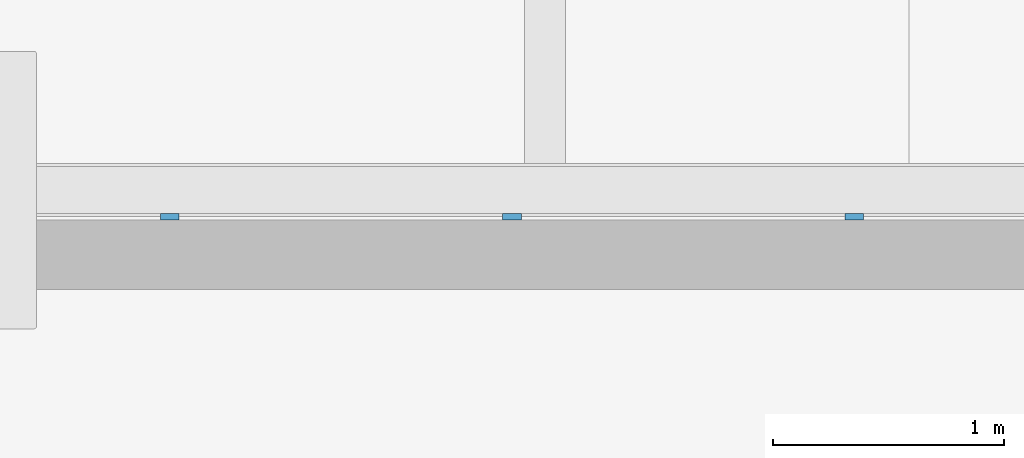
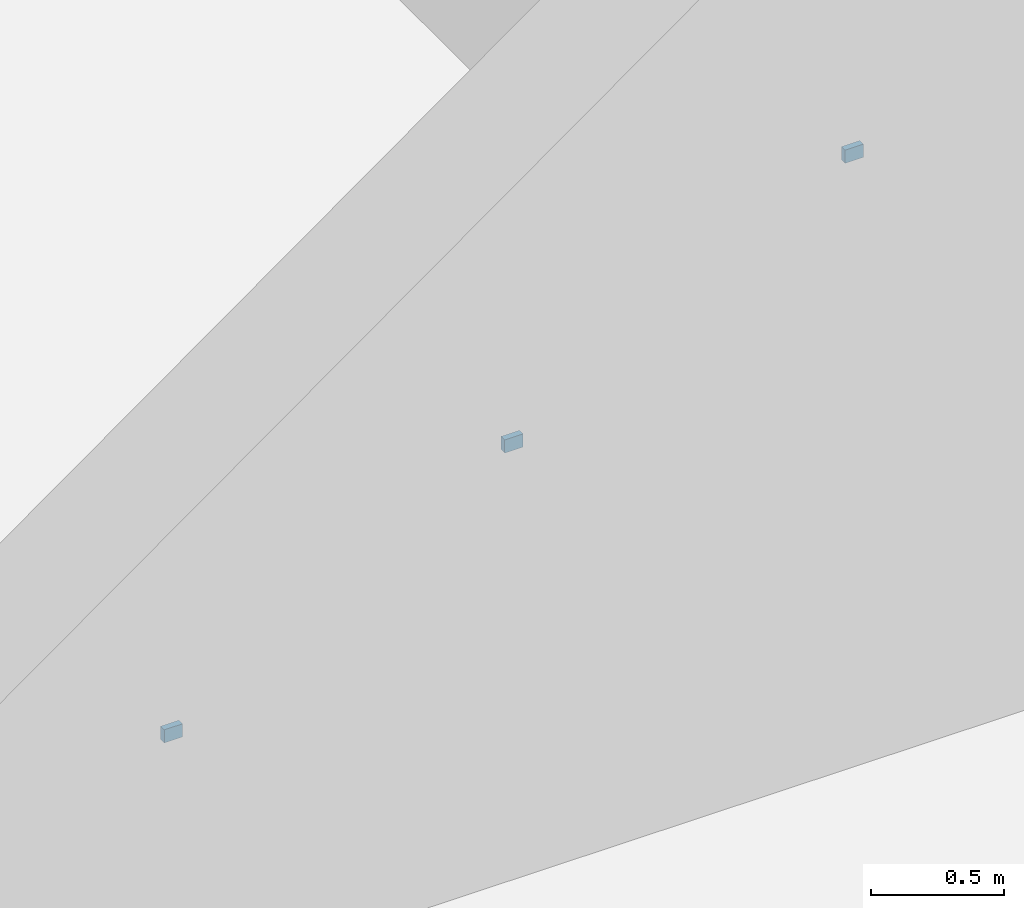
# One storey, part 83 of 127: 3 discrete accessories.
"""IFC4 building model written with IfcOpenShell, lengths in metres."""

from ifc_helpers import new_model, si_unit, direction, frame, origin, origin_2d, place, context, subcontext, project, spatial, rectangle, extrude, material, type_object, element, save


model = new_model("IFC4")

# Units and contexts
model_context = context("Model", 3, precision=1e-05, world=origin(), true_north=direction((0.0, 1.0)))
body_context = subcontext(model_context, "Body", "Model", "MODEL_VIEW")
ifc_project = project(units=[si_unit("LENGTHUNIT", "METRE"), si_unit("AREAUNIT", "SQUARE_METRE"), si_unit("VOLUMEUNIT", "CUBIC_METRE"), si_unit("PLANEANGLEUNIT", "RADIAN"), si_unit("MASSUNIT", "GRAM", prefix="KILO")], contexts=[model_context])

# Site, building, storey
site_placement = place(None, origin())
site = spatial("IfcSite", under=ifc_project, at=site_placement, CompositionType="ELEMENT")
building_placement = place(site_placement, origin())
building = spatial("IfcBuilding", under=site, at=building_placement, Name="Ljudholm Concert House", CompositionType="ELEMENT")
storey_placement = place(building_placement, origin())
storey = spatial("IfcBuildingStorey", under=building, at=storey_placement, Name="L00", CompositionType="ELEMENT", Elevation=0.0)

# Discrete accessories
ifc_material = material(Name="Stainless steel bracket", Category="steel")
discrete_accessory_type = type_object("IfcDiscreteAccessoryType", Name="PANEL BRACKET EXTERNAL", PredefinedType="BRACKET", material=ifc_material)
for number, where, z_axis, x_axis, name in (
    (1, (114.376953125, 3.884521484375, 0.917236328125), (0.0, 0.0, 1.0), (0.0, -1.0, 0.0), "Panel bracket"),
    (2, (115.857421875, 3.884521484375, 1.731689453125), (0.0, 0.0, 1.0), (0.0, -1.0, 0.0), "Panel bracket"),
    (3, (117.337890625, 3.884521484375, 2.5458984375), (0.0, 0.0, 1.0), (0.0, -1.0, 0.0), "Panel bracket"),
):
    element("IfcDiscreteAccessory", number, at=place(storey_placement, frame(where, z_axis=z_axis, x_axis=x_axis)), inside=storey, type_object=discrete_accessory_type, Name=name, PredefinedType="BRACKET", context=body_context, shape_type="SweptSolid", body=[
        extrude(rectangle(XDim=0.028076171875, YDim=0.080078125, at=origin_2d()), origin(), (0.0, 0.0, 1.0), 0.06005859375),
    ])

save(model, "model.ifc")
